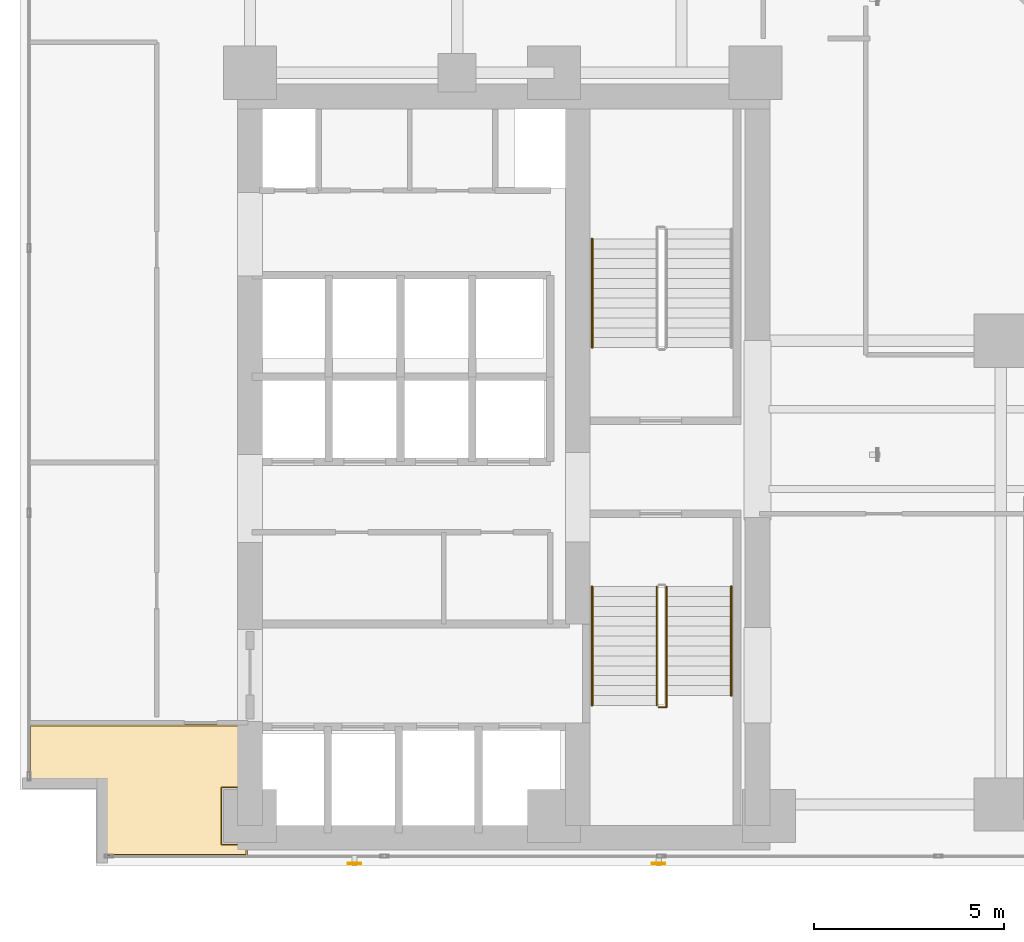
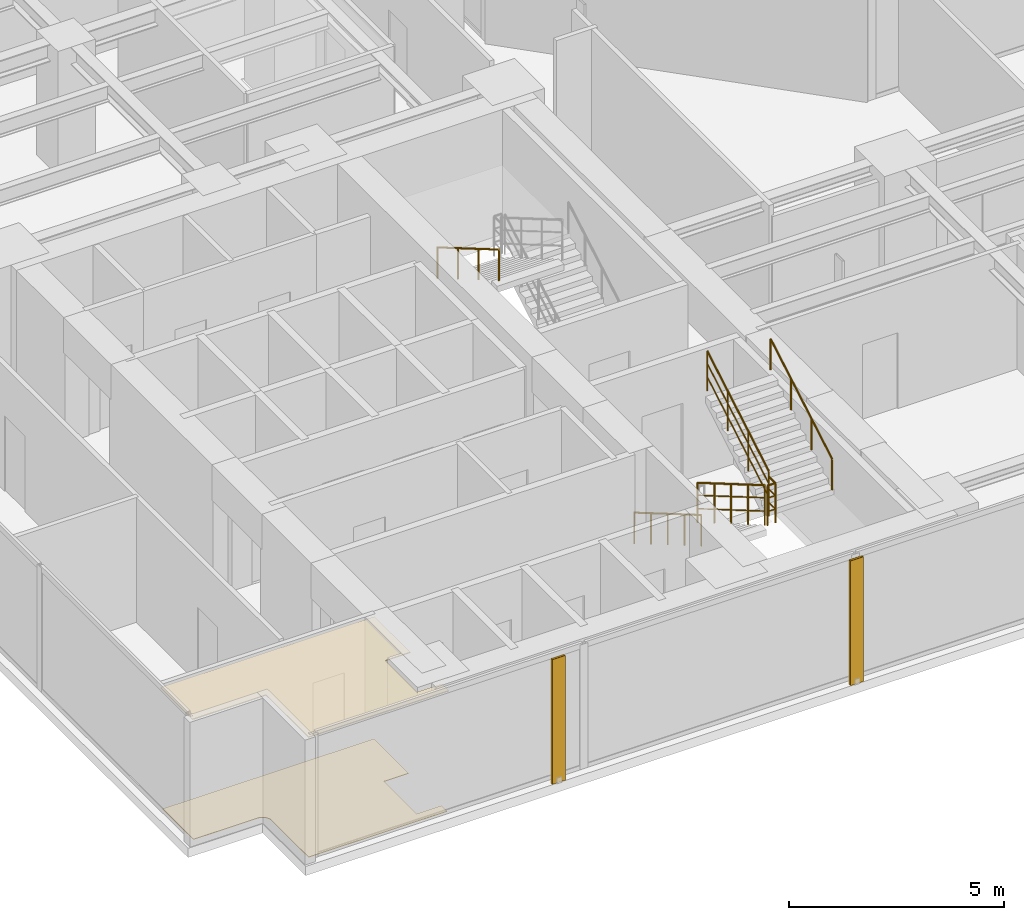
# One storey, part 24 of 28: 6 railings, 2 coverings, 2 shading devices.
"""IFC4 building model written with IfcOpenShell, lengths in metres."""

import ifcopenshell
import ifcopenshell.guid

model = None  # the IFC model being written
_history = None  # IfcOwnerHistory: only IFC2X3 demands one
_inside = {}  # id of a spatial element -> (the spatial element, [elements in it])
_under = {}  # id of a project, library or spatial element -> (it, [spatial elements below it])
_declared = {}  # id of a project -> (the project, [libraries it declares])
_typed = {}  # id of a type object -> (the type object, [elements of that type])
_made_of = {}  # id of a material, layer set ... -> (it, [elements and type objects made of it])


def new_model(schema):
    """Start an empty IFC model of exactly this schema.

    Asked for "IFC4X3", IfcOpenShell would pick the latest addendum, in which some entities
    have other attributes; the version numbers below select the first issue.
    IFC2X3 requires an IfcOwnerHistory on every rooted entity: one is made here for all.
    """
    global model, _history
    if schema == "IFC4X3":
        model = ifcopenshell.file(schema_version=(4, 3, 0, 0))
    else:
        model = ifcopenshell.file(schema=schema)
    _inside.clear()
    _under.clear()
    _declared.clear()
    _typed.clear()
    _made_of.clear()
    _history = None
    if model.schema == "IFC2X3":
        org = make("IfcOrganization", Name="unknown")
        user = make(
            "IfcPersonAndOrganization",
            ThePerson=make("IfcPerson", FamilyName="unknown"),
            TheOrganization=org,
        )
        app = make(
            "IfcApplication",
            ApplicationDeveloper=org,
            Version="unknown",
            ApplicationFullName="unknown",
            ApplicationIdentifier="unknown",
        )
        _history = make(
            "IfcOwnerHistory",
            OwningUser=user,
            OwningApplication=app,
            ChangeAction="ADDED",
            CreationDate=0,
        )
    return model


def make(cls, **values):
    """One entity of the class cls with the attributes given. An attribute that is None is left unset."""
    return model.create_entity(
        cls, **{name: value for name, value in values.items() if value is not None}
    )


def rooted(cls, **values):
    """An entity with a GlobalId (a new one), such as an element, a storey or a relation."""
    return make(cls, GlobalId=ifcopenshell.guid.new(), OwnerHistory=_history, **values)


def si_unit(unit_type, name, prefix=None):
    """IfcSIUnit, for example si_unit("LENGTHUNIT", "METRE", prefix="MILLI")."""
    return make("IfcSIUnit", UnitType=unit_type, Prefix=prefix, Name=name)


def assignment(units):
    """IfcUnitAssignment: the units of a project."""
    return None if units is None else make("IfcUnitAssignment", Units=units)


def point(xyz):
    """IfcCartesianPoint."""
    return None if xyz is None else make("IfcCartesianPoint", Coordinates=xyz)


def direction(xyz):
    """IfcDirection."""
    return None if xyz is None else make("IfcDirection", DirectionRatios=xyz)


def frame(location, z_axis=None, x_axis=None):
    """IfcAxis2Placement3D, a coordinate frame: its origin and axes. An axis left out is left unset."""
    return make(
        "IfcAxis2Placement3D",
        Location=point(location),
        Axis=direction(z_axis),
        RefDirection=direction(x_axis),
    )


def frame_2d(location, x_axis=None):
    """IfcAxis2Placement2D, a coordinate frame in the plane: its origin and x axis."""
    return make(
        "IfcAxis2Placement2D", Location=point(location), RefDirection=direction(x_axis)
    )


def origin():
    """The frame at (0, 0, 0) with its axes left unset."""
    return frame((0.0, 0.0, 0.0))


def origin_2d():
    """The frame at (0, 0) in the plane with its x axis left unset."""
    return frame_2d((0.0, 0.0))


def place(relative_to, where):
    """IfcLocalPlacement: puts the frame where relative to a parent placement (None: the world)."""
    return make(
        "IfcLocalPlacement", PlacementRelTo=relative_to, RelativePlacement=where
    )


def context(
    kind, dimensions, precision=None, world=None, true_north=None, identifier=None
):
    """IfcGeometricRepresentationContext, for example the 3D "Model" context."""
    return make(
        "IfcGeometricRepresentationContext",
        ContextIdentifier=identifier,
        ContextType=kind,
        CoordinateSpaceDimension=dimensions,
        Precision=precision,
        WorldCoordinateSystem=world,
        TrueNorth=true_north,
    )


def subcontext(parent, identifier, kind, view, scale=None):
    """IfcGeometricRepresentationSubContext, for example "Body" below "Model"."""
    return make(
        "IfcGeometricRepresentationSubContext",
        ContextIdentifier=identifier,
        ContextType=kind,
        ParentContext=parent,
        TargetScale=scale,
        TargetView=view,
    )


def project(units=None, contexts=None):
    """IfcProject with its units and contexts."""
    return rooted(
        "IfcProject",
        Name="project",
        RepresentationContexts=contexts,
        UnitsInContext=assignment(units),
    )


def spatial(cls, under=None, at=None, **own):
    """A site, building, storey or space (cls), placed at a placement, below another one or the project."""
    s = rooted(cls, ObjectPlacement=at, **own)
    if under is not None:
        _under.setdefault(under.id(), (under, []))[1].append(s)
    return s


def polyline(points):
    """IfcPolyline through the points."""
    return make("IfcPolyline", Points=[point(p) for p in points])


def profile(cls, at=None, kind="AREA", **sizes):
    """A parametric profile (cls). Its sizes go by their IFC names, for example OverallWidth=200.0."""
    return make(cls, ProfileType=kind, Position=at, **sizes)


def hollow_rectangle(**sizes):
    """IfcRectangleHollowProfileDef."""
    return profile("IfcRectangleHollowProfileDef", **sizes)


def circle(**sizes):
    """IfcCircleProfileDef."""
    return profile("IfcCircleProfileDef", **sizes)


def outline(outer, holes=None, kind="AREA"):
    """IfcArbitraryClosedProfileDef: a profile drawn as a closed curve; with holes, ...WithVoids."""
    if holes is None:
        return make("IfcArbitraryClosedProfileDef", ProfileType=kind, OuterCurve=outer)
    return make(
        "IfcArbitraryProfileDefWithVoids",
        ProfileType=kind,
        OuterCurve=outer,
        InnerCurves=holes,
    )


def extrude(swept, where, along, depth):
    """IfcExtrudedAreaSolid: the profile swept, set in the frame where, extruded along a direction by depth."""
    return make(
        "IfcExtrudedAreaSolid",
        SweptArea=swept,
        Position=where,
        ExtrudedDirection=direction(along),
        Depth=depth,
    )


def shape(context_of_items, identifier, shape_type, items):
    """IfcShapeRepresentation: the items that make up one representation, for example the "Body"."""
    return make(
        "IfcShapeRepresentation",
        ContextOfItems=context_of_items,
        RepresentationIdentifier=identifier,
        RepresentationType=shape_type,
        Items=items,
    )


def material(Name=None, Category=None):
    """IfcMaterial."""
    return make("IfcMaterial", Name=Name, Category=Category)


def layer(
    of_material, thickness, ventilated=None, Name=None, Category=None, Priority=None
):
    """IfcMaterialLayer: one layer of a wall or slab, of a material (None: an air gap)."""
    return make(
        "IfcMaterialLayer",
        Material=of_material,
        LayerThickness=thickness,
        IsVentilated=ventilated,
        Name=Name,
        Category=Category,
        Priority=Priority,
    )


def layer_set(layers, Name=None):
    """IfcMaterialLayerSet."""
    return make("IfcMaterialLayerSet", MaterialLayers=layers, LayerSetName=Name)


def material_profile(
    of_material, cross_section, Name=None, Category=None, Priority=None
):
    """IfcMaterialProfile: a cross section and its material."""
    return make(
        "IfcMaterialProfile",
        Name=Name,
        Material=of_material,
        Profile=cross_section,
        Priority=Priority,
        Category=Category,
    )


def profile_set(profiles, Name=None, composite=None):
    """IfcMaterialProfileSet."""
    return make(
        "IfcMaterialProfileSet",
        Name=Name,
        MaterialProfiles=profiles,
        CompositeProfile=composite,
    )


def made_of(thing, what):
    """Note that an element or type object is made of a material, layer set ...; save() writes the relation."""
    if what is not None:
        _made_of.setdefault(what.id(), (what, []))[1].append(thing)
    return thing


def type_object(cls, material=None, **own):
    """A type object (cls), such as IfcWallType, which elements share."""
    return made_of(rooted(cls, **own), material)


def element(
    cls,
    number,
    at=None,
    inside=None,
    cuts=None,
    type_object=None,
    material=None,
    context=None,
    identifier="Body",
    shape_type=None,
    held_by="IfcProductDefinitionShape",
    body=None,
    shapes=None,
    **own,
):
    """One element of the class cls, such as IfcWall. Its Tag is "e" and its number.

    at: its placement. inside: the storey or other place that contains it. cuts: it is an
    opening in that element (IfcRelVoidsElement). A single representation is given by context,
    identifier, shape_type and body (its items); several are given by shapes. held_by: the class
    of the entity that holds the representations. save() writes the other relations.
    """
    e = rooted(cls, Tag="e%d" % number, ObjectPlacement=at, **own)
    if body is not None:
        shapes = [shape(context, identifier, shape_type, body)]
    if shapes is not None:
        e.Representation = make(held_by, Representations=shapes)
    if inside is not None:
        _inside.setdefault(inside.id(), (inside, []))[1].append(e)
    if cuts is not None:
        rooted(
            "IfcRelVoidsElement", RelatingBuildingElement=cuts, RelatedOpeningElement=e
        )
    if type_object is not None:
        _typed.setdefault(type_object.id(), (type_object, []))[1].append(e)
    return made_of(e, material)


def aggregate(whole, parts):
    """IfcRelAggregates: a whole, such as a stair, and the parts it consists of."""
    return rooted("IfcRelAggregates", RelatingObject=whole, RelatedObjects=parts)


def save(model, path):
    """Write the relations noted so far, then the file.

    IfcRelAggregates (storeys below a building ...), IfcRelContainedInSpatialStructure (elements
    in a storey), IfcRelDefinesByType, IfcRelAssociatesMaterial and IfcRelDeclares: one each for
    every whole, place, type object, material and project.
    """
    for whole, parts in _under.values():
        aggregate(whole, parts)
    for where, things in _inside.values():
        rooted(
            "IfcRelContainedInSpatialStructure",
            RelatedElements=things,
            RelatingStructure=where,
        )
    for kind, things in _typed.values():
        rooted("IfcRelDefinesByType", RelatedObjects=things, RelatingType=kind)
    for what, things in _made_of.values():
        rooted("IfcRelAssociatesMaterial", RelatedObjects=things, RelatingMaterial=what)
    for by, libraries in _declared.values():
        rooted("IfcRelDeclares", RelatingContext=by, RelatedDefinitions=libraries)
    model.write(path)


model = new_model("IFC4")

# Units and contexts
model_context = context("Model", 3, precision=1e-05, world=origin(), true_north=direction((0.0, 1.0)))
body_context = subcontext(model_context, "Body", "Model", "MODEL_VIEW")
ifc_project = project(units=[si_unit("LENGTHUNIT", "METRE"), si_unit("AREAUNIT", "SQUARE_METRE"), si_unit("VOLUMEUNIT", "CUBIC_METRE"), si_unit("PLANEANGLEUNIT", "RADIAN"), si_unit("MASSUNIT", "GRAM", prefix="KILO")], contexts=[model_context])

# Site, building, storey
site_placement = place(None, origin())
site = spatial("IfcSite", under=ifc_project, at=site_placement, CompositionType="ELEMENT")
building_placement = place(site_placement, origin())
building = spatial("IfcBuilding", under=site, at=building_placement, Name="Kolvaren Waterfront Exchange", CompositionType="ELEMENT")
storey_placement = place(building_placement, frame((0.0, 0.0, 133.5)))
storey = spatial("IfcBuildingStorey", under=building, at=storey_placement, Name="L34", CompositionType="ELEMENT", Elevation=133.5)

# Covering
ifc_material_1 = material(Name="Mineral fibre acoustic ceiling tile")
ifc_layer_1 = layer(ifc_material_1, 0.02490234375, Name="Mineral fibre acoustic ceiling tile")
ifc_layer_set_1 = layer_set([ifc_layer_1], Name="Mineral fibre acoustic ceiling tile")
covering_type_1 = type_object("IfcCoveringType", Name="ARC-CEIL-ACOUSTIC-25", PredefinedType="CEILING", material=ifc_layer_set_1)
covering_1_placement = place(storey_placement, frame((0.0, 0.0, 3.425048828125)))
element("IfcCovering", 1, at=covering_1_placement, inside=storey, type_object=covering_type_1, Name="L34 acoustic suspended ceiling 3", PredefinedType="CEILING", context=body_context, shape_type="SweptSolid", body=[
    extrude(outline(polyline([(7.385009765625, 4.159912109375), (6.7099609375, 4.159912109375), (6.7099609375, 5.639892578125), (7.385009765625, 5.639892578125), (7.385009765625, 7.304931640625), (1.64501953125, 7.304931640625), (1.64501953125, 5.820068359375), (3.6201171875, 5.820068359375), (3.6201171875, 3.844970703125), (7.385009765625, 3.844970703125), (7.385009765625, 4.159912109375)])), origin(), (0.0, 0.0, 1.0), 0.02490234375),
])

# Shading devices
ifc_material_2 = material(Name="Anodised bronze aluminium 6063-T6", Category="aluminium")
ifc_material_profile = material_profile(ifc_material_2, hollow_rectangle(XDim=0.06005859375, YDim=0.35009765625, WallThickness=0.0048828125, at=origin_2d()), Name="BRZ-FIN-350x60x5")
ifc_profile_set = profile_set([ifc_material_profile], Name="Anodised bronze aluminium 6063-T6")
shading_device_type = type_object("IfcShadingDeviceType", Name="ARC-FIN-350", PredefinedType="USERDEFINED", material=ifc_profile_set)
for number, where, z_axis, x_axis, name in (
    (2, (10.199951171875, 3.639892578125, 0.0), (0.0, 0.0, 1.0), (0.0, -1.0, 0.0), "L34 anodised bronze solar shading fin FIN-L34-S1"),
    (3, (18.199951171875, 3.639892578125, 0.0), (0.0, 0.0, 1.0), (0.0, -1.0, 0.0), "L34 anodised bronze solar shading fin FIN-L34-S2"),
):
    element("IfcShadingDevice", number, at=place(storey_placement, frame(where, z_axis=z_axis, x_axis=x_axis)), inside=storey, type_object=shading_device_type, Name=name, ObjectType="SOLAR FIN", PredefinedType="USERDEFINED", context=body_context, shape_type="SweptSolid", body=[
        extrude(hollow_rectangle(XDim=0.06005859375, YDim=0.35009765625, WallThickness=0.0048828125, at=origin_2d()), origin(), (0.0, 0.0, 1.0), 3.5400390625),
    ])

# Covering
ifc_material_3 = material(Name="Slip-resistant porcelain tile")
ifc_layer_2 = layer(ifc_material_3, 0.014892578125, Name="Slip-resistant porcelain tile")
ifc_layer_set_2 = layer_set([ifc_layer_2], Name="Slip-resistant porcelain tile")
covering_type_2 = type_object("IfcCoveringType", Name="ARC-FLR-PORC-15", PredefinedType="FLOORING", material=ifc_layer_set_2)
covering_2_placement = place(storey_placement, origin())
element("IfcCovering", 4, at=covering_2_placement, inside=storey, type_object=covering_type_2, Name="L34 floor finish 3", PredefinedType="FLOORING", context=body_context, shape_type="SweptSolid", body=[
    extrude(outline(polyline([(7.35009765625, 7.27001953125), (1.679931640625, 7.27001953125), (1.679931640625, 5.840087890625), (3.39990234375, 5.840087890625), (3.423583984375, 5.8388671875), (3.44677734375, 5.83544921875), (3.4697265625, 5.82958984375), (3.49169921875, 5.82177734375), (3.51318359375, 5.811767578125), (3.533203125, 5.799560546875), (3.55224609375, 5.785400390625), (3.569580078125, 5.769775390625), (3.58544921875, 5.752197265625), (3.599609375, 5.7333984375), (3.61181640625, 5.713134765625), (3.62158203125, 5.69189453125), (3.629638671875, 5.669677734375), (3.635498046875, 5.646728515625), (3.638916015625, 5.62353515625), (3.639892578125, 5.60009765625), (3.639892578125, 3.8798828125), (7.35009765625, 3.8798828125), (7.35009765625, 4.139892578125), (6.68994140625, 4.139892578125), (6.68994140625, 5.659912109375), (7.35009765625, 5.659912109375), (7.35009765625, 7.27001953125)])), origin(), (0.0, 0.0, 1.0), 0.014892578125),
])

# Railings
ifc_material_4 = material(Name="Stainless steel 316", Category="steel")
railing_type_1 = type_object("IfcRailingType", Name="ARC-GUARD-STAIR", PredefinedType="GUARDRAIL", material=ifc_material_4)
railing_1_placement = place(storey_placement, frame((18.14990234375, 10.929931640625, 0.152099609375)))
element("IfcRailing", 5, at=railing_1_placement, inside=storey, type_object=railing_type_1, Name="L34 ST1 stair guard 1", PredefinedType="GUARDRAIL", context=body_context, shape_type="SweptSolid", body=[
    extrude(circle(Radius=0.02392578125, at=origin_2d()), frame((0.0, 0.0, 1.1259765625), z_axis=(0.0, -0.86329090724, 0.504706656858), x_axis=(1.0, 0.0, 0.0)), (0.0, 0.0, 1.0), 3.614013671875),
    extrude(circle(Radius=0.01611328125, at=origin_2d()), frame((0.0, 0.0, 0.390869140625), z_axis=(0.0, -0.86329090724, 0.504706656858), x_axis=(1.0, 0.0, 0.0)), (0.0, 0.0, 1.0), 3.614013671875),
    extrude(circle(Radius=0.01611328125, at=origin_2d()), frame((0.0, 0.0, 0.7705078125), z_axis=(0.0, -0.86329090724, 0.504706656858), x_axis=(1.0, 0.0, 0.0)), (0.0, 0.0, 1.0), 3.614013671875),
    extrude(circle(Radius=0.02099609375, at=origin_2d()), origin(), (0.0, 0.0, 1.0), 1.101806640625),
    extrude(circle(Radius=0.02099609375, at=origin_2d()), frame((0.0, -0.780029296875, 0.4560546875)), (0.0, 0.0, 1.0), 1.101806640625),
    extrude(circle(Radius=0.02099609375, at=origin_2d()), frame((0.0, -1.56005859375, 0.912109375)), (0.0, 0.0, 1.0), 1.101806640625),
    extrude(circle(Radius=0.02099609375, at=origin_2d()), frame((0.0, -2.33984375, 1.367919921875)), (0.0, 0.0, 1.0), 1.101806640625),
    extrude(circle(Radius=0.02099609375, at=origin_2d()), frame((0.0, -3.119873046875, 1.823974609375)), (0.0, 0.0, 1.0), 1.101806640625),
])
railing_2_placement = place(storey_placement, frame((18.199951171875, 7.760009765625, 1.97607421875)))
element("IfcRailing", 6, at=railing_2_placement, inside=storey, type_object=railing_type_1, Name="L34 ST1 stair guard 2", PredefinedType="GUARDRAIL", context=body_context, shape_type="SweptSolid", body=[
    extrude(circle(Radius=0.02392578125, at=origin_2d()), frame((0.0, 0.0, 1.1259765625), z_axis=(1.0, 0.0, 0.0), x_axis=(0.0, 1.0, 0.0)), (0.0, 0.0, 1.0), 0.2099609375),
    extrude(circle(Radius=0.01611328125, at=origin_2d()), frame((0.0, 0.0, 0.390869140625), z_axis=(1.0, 0.0, 0.0), x_axis=(0.0, 1.0, 0.0)), (0.0, 0.0, 1.0), 0.2099609375),
    extrude(circle(Radius=0.01611328125, at=origin_2d()), frame((0.0, 0.0, 0.7705078125), z_axis=(1.0, 0.0, 0.0), x_axis=(0.0, 1.0, 0.0)), (0.0, 0.0, 1.0), 0.2099609375),
    extrude(circle(Radius=0.02392578125, at=origin_2d()), frame((0.2099609375, 0.0, 1.1259765625), z_axis=(0.0, 1.0, 0.0), x_axis=(-1.0, 0.0, 0.0)), (0.0, 0.0, 1.0), 0.31005859375),
    extrude(circle(Radius=0.01611328125, at=origin_2d()), frame((0.2099609375, 0.0, 0.390869140625), z_axis=(0.0, 1.0, 0.0), x_axis=(-1.0, 0.0, 0.0)), (0.0, 0.0, 1.0), 0.31005859375),
    extrude(circle(Radius=0.01611328125, at=origin_2d()), frame((0.2099609375, 0.0, 0.7705078125), z_axis=(0.0, 1.0, 0.0), x_axis=(-1.0, 0.0, 0.0)), (0.0, 0.0, 1.0), 0.31005859375),
    extrude(circle(Radius=0.02099609375, at=origin_2d()), origin(), (0.0, 0.0, 1.0), 1.101806640625),
    extrude(circle(Radius=0.02099609375, at=origin_2d()), frame((0.2099609375, 0.0, 0.0)), (0.0, 0.0, 1.0), 1.101806640625),
    extrude(circle(Radius=0.02099609375, at=origin_2d()), frame((0.2099609375, 0.31005859375, 0.0)), (0.0, 0.0, 1.0), 1.101806640625),
])
railing_3_placement = place(storey_placement, frame((18.409912109375, 8.070068359375, 2.1279296875)))
element("IfcRailing", 7, at=railing_3_placement, inside=storey, type_object=railing_type_1, Name="L34 ST1 stair guard 3", PredefinedType="GUARDRAIL", context=body_context, shape_type="SweptSolid", body=[
    extrude(circle(Radius=0.02392578125, at=origin_2d()), frame((0.0, 0.0, 1.1259765625), z_axis=(0.0, 0.863270611444, 0.50474137082), x_axis=(-1.0, 0.0, 0.0)), (0.0, 0.0, 1.0), 3.312744140625),
    extrude(circle(Radius=0.01611328125, at=origin_2d()), frame((0.0, 0.0, 0.390869140625), z_axis=(0.0, 0.863270611444, 0.50474137082), x_axis=(-1.0, 0.0, 0.0)), (0.0, 0.0, 1.0), 3.312744140625),
    extrude(circle(Radius=0.01611328125, at=origin_2d()), frame((0.0, 0.0, 0.7705078125), z_axis=(0.0, 0.863270611444, 0.50474137082), x_axis=(-1.0, 0.0, 0.0)), (0.0, 0.0, 1.0), 3.312744140625),
    extrude(circle(Radius=0.02099609375, at=origin_2d()), origin(), (0.0, 0.0, 1.0), 1.101806640625),
    extrude(circle(Radius=0.02099609375, at=origin_2d()), frame((0.0, 0.953369140625, 0.557373046875)), (0.0, 0.0, 1.0), 1.101806640625),
    extrude(circle(Radius=0.02099609375, at=origin_2d()), frame((0.0, 1.906494140625, 1.11474609375)), (0.0, 0.0, 1.0), 1.101806640625),
    extrude(circle(Radius=0.02099609375, at=origin_2d()), frame((0.0, 2.85986328125, 1.672119140625)), (0.0, 0.0, 1.0), 1.101806640625),
])
railing_type_2 = type_object("IfcRailingType", Name="ARC-HANDRAIL-900", PredefinedType="HANDRAIL", material=ifc_material_4)
railing_4_placement = place(storey_placement, frame((16.449951171875, 10.929931640625, 0.152099609375)))
element("IfcRailing", 8, at=railing_4_placement, inside=storey, type_object=railing_type_2, Name="L34 ST1 stair handrail 1", PredefinedType="HANDRAIL", context=body_context, shape_type="SweptSolid", body=[
    extrude(circle(Radius=0.02392578125, at=origin_2d()), frame((0.0, 0.0, 0.8759765625), z_axis=(0.0, -0.86329090724, 0.504706656858), x_axis=(1.0, 0.0, 0.0)), (0.0, 0.0, 1.0), 3.614013671875),
    extrude(circle(Radius=0.02099609375, at=origin_2d()), origin(), (0.0, 0.0, 1.0), 0.851806640625),
    extrude(circle(Radius=0.02099609375, at=origin_2d()), frame((0.0, -0.780029296875, 0.4560546875)), (0.0, 0.0, 1.0), 0.851806640625),
    extrude(circle(Radius=0.02099609375, at=origin_2d()), frame((0.0, -1.56005859375, 0.912109375)), (0.0, 0.0, 1.0), 0.851806640625),
    extrude(circle(Radius=0.02099609375, at=origin_2d()), frame((0.0, -2.33984375, 1.367919921875)), (0.0, 0.0, 1.0), 0.851806640625),
    extrude(circle(Radius=0.02099609375, at=origin_2d()), frame((0.0, -3.119873046875, 1.823974609375)), (0.0, 0.0, 1.0), 0.851806640625),
])
railing_5_placement = place(storey_placement, frame((20.110107421875, 8.070068359375, 2.1279296875)))
element("IfcRailing", 9, at=railing_5_placement, inside=storey, type_object=railing_type_2, Name="L34 ST1 stair handrail 2", PredefinedType="HANDRAIL", context=body_context, shape_type="SweptSolid", body=[
    extrude(circle(Radius=0.02392578125, at=origin_2d()), frame((0.0, 0.0, 0.8759765625), z_axis=(0.0, 0.863270611444, 0.50474137082), x_axis=(-1.0, 0.0, 0.0)), (0.0, 0.0, 1.0), 3.312744140625),
    extrude(circle(Radius=0.02099609375, at=origin_2d()), origin(), (0.0, 0.0, 1.0), 0.851806640625),
    extrude(circle(Radius=0.02099609375, at=origin_2d()), frame((0.0, 0.953369140625, 0.557373046875)), (0.0, 0.0, 1.0), 0.851806640625),
    extrude(circle(Radius=0.02099609375, at=origin_2d()), frame((0.0, 1.906494140625, 1.11474609375)), (0.0, 0.0, 1.0), 0.851806640625),
    extrude(circle(Radius=0.02099609375, at=origin_2d()), frame((0.0, 2.85986328125, 1.672119140625)), (0.0, 0.0, 1.0), 0.851806640625),
])
railing_6_placement = place(storey_placement, frame((16.449951171875, 20.080078125, 2.1279296875)))
element("IfcRailing", 10, at=railing_6_placement, inside=storey, type_object=railing_type_2, Name="L34 ST2 stair handrail 2", PredefinedType="HANDRAIL", context=body_context, shape_type="SweptSolid", body=[
    extrude(circle(Radius=0.02392578125, at=origin_2d()), frame((0.0, 0.0, 0.8759765625), z_axis=(0.0, -0.863289384635, 0.504709261235), x_axis=(1.0, 0.0, 0.0)), (0.0, 0.0, 1.0), 3.31298828125),
    extrude(circle(Radius=0.02099609375, at=origin_2d()), origin(), (0.0, 0.0, 1.0), 0.851806640625),
    extrude(circle(Radius=0.02099609375, at=origin_2d()), frame((0.0, -0.953369140625, 0.557373046875)), (0.0, 0.0, 1.0), 0.851806640625),
    extrude(circle(Radius=0.02099609375, at=origin_2d()), frame((0.0, -1.90673828125, 1.11474609375)), (0.0, 0.0, 1.0), 0.851806640625),
    extrude(circle(Radius=0.02099609375, at=origin_2d()), frame((0.0, -2.860107421875, 1.672119140625)), (0.0, 0.0, 1.0), 0.851806640625),
])

save(model, "model.ifc")
